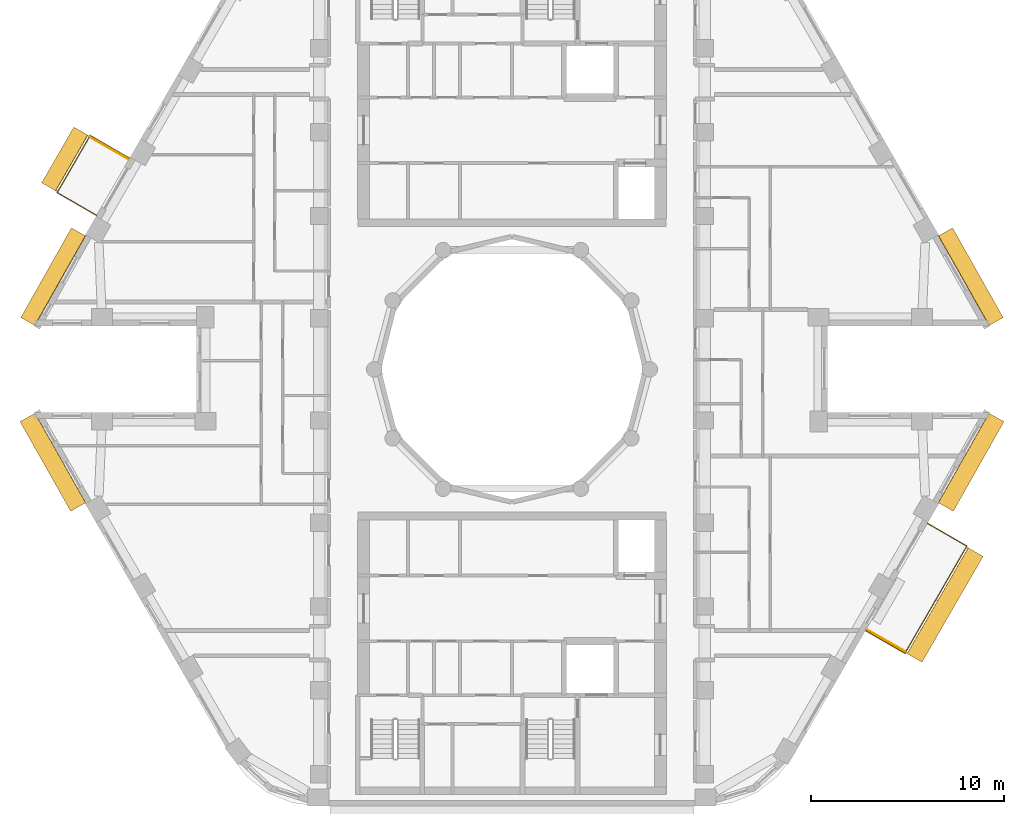
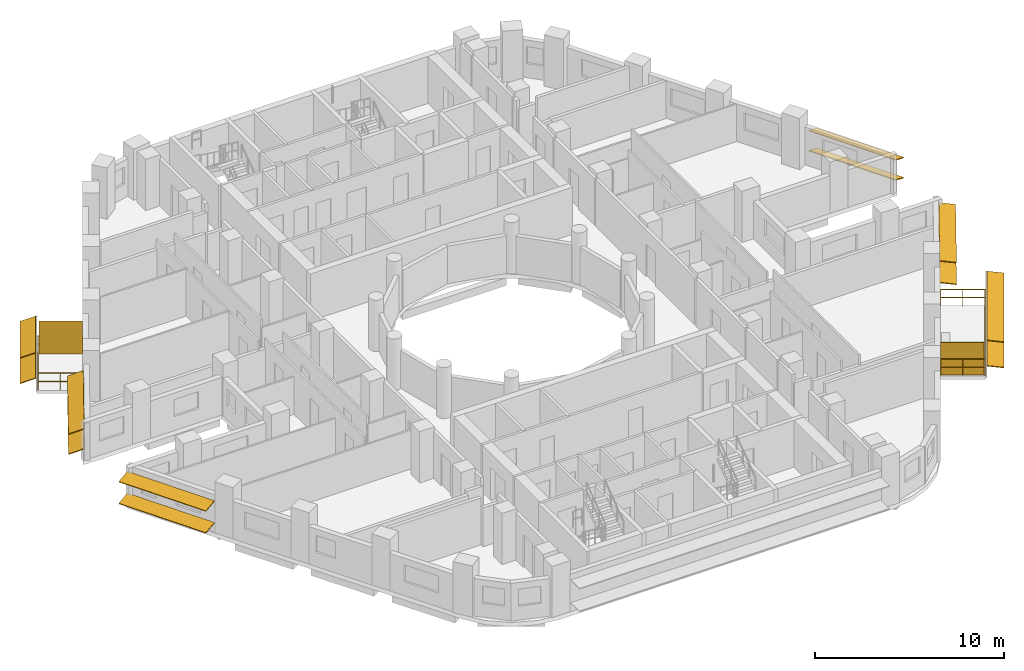
# One storey, part 13 of 14: 14 shading devices, 2 railings.
"""IFC4 building model written with IfcOpenShell, lengths in metres."""

import ifcopenshell
import ifcopenshell.guid

model = None  # the IFC model being written
_history = None  # IfcOwnerHistory: only IFC2X3 demands one
_inside = {}  # id of a spatial element -> (the spatial element, [elements in it])
_under = {}  # id of a project, library or spatial element -> (it, [spatial elements below it])
_declared = {}  # id of a project -> (the project, [libraries it declares])
_typed = {}  # id of a type object -> (the type object, [elements of that type])
_made_of = {}  # id of a material, layer set ... -> (it, [elements and type objects made of it])


def new_model(schema):
    """Start an empty IFC model of exactly this schema.

    Asked for "IFC4X3", IfcOpenShell would pick the latest addendum, in which some entities
    have other attributes; the version numbers below select the first issue.
    IFC2X3 requires an IfcOwnerHistory on every rooted entity: one is made here for all.
    """
    global model, _history
    if schema == "IFC4X3":
        model = ifcopenshell.file(schema_version=(4, 3, 0, 0))
    else:
        model = ifcopenshell.file(schema=schema)
    _inside.clear()
    _under.clear()
    _declared.clear()
    _typed.clear()
    _made_of.clear()
    _history = None
    if model.schema == "IFC2X3":
        org = make("IfcOrganization", Name="unknown")
        user = make(
            "IfcPersonAndOrganization",
            ThePerson=make("IfcPerson", FamilyName="unknown"),
            TheOrganization=org,
        )
        app = make(
            "IfcApplication",
            ApplicationDeveloper=org,
            Version="unknown",
            ApplicationFullName="unknown",
            ApplicationIdentifier="unknown",
        )
        _history = make(
            "IfcOwnerHistory",
            OwningUser=user,
            OwningApplication=app,
            ChangeAction="ADDED",
            CreationDate=0,
        )
    return model


def make(cls, **values):
    """One entity of the class cls with the attributes given. An attribute that is None is left unset."""
    return model.create_entity(
        cls, **{name: value for name, value in values.items() if value is not None}
    )


def rooted(cls, **values):
    """An entity with a GlobalId (a new one), such as an element, a storey or a relation."""
    return make(cls, GlobalId=ifcopenshell.guid.new(), OwnerHistory=_history, **values)


def si_unit(unit_type, name, prefix=None):
    """IfcSIUnit, for example si_unit("LENGTHUNIT", "METRE", prefix="MILLI")."""
    return make("IfcSIUnit", UnitType=unit_type, Prefix=prefix, Name=name)


def assignment(units):
    """IfcUnitAssignment: the units of a project."""
    return None if units is None else make("IfcUnitAssignment", Units=units)


def point(xyz):
    """IfcCartesianPoint."""
    return None if xyz is None else make("IfcCartesianPoint", Coordinates=xyz)


def direction(xyz):
    """IfcDirection."""
    return None if xyz is None else make("IfcDirection", DirectionRatios=xyz)


def frame(location, z_axis=None, x_axis=None):
    """IfcAxis2Placement3D, a coordinate frame: its origin and axes. An axis left out is left unset."""
    return make(
        "IfcAxis2Placement3D",
        Location=point(location),
        Axis=direction(z_axis),
        RefDirection=direction(x_axis),
    )


def frame_2d(location, x_axis=None):
    """IfcAxis2Placement2D, a coordinate frame in the plane: its origin and x axis."""
    return make(
        "IfcAxis2Placement2D", Location=point(location), RefDirection=direction(x_axis)
    )


def origin():
    """The frame at (0, 0, 0) with its axes left unset."""
    return frame((0.0, 0.0, 0.0))


def origin_2d():
    """The frame at (0, 0) in the plane with its x axis left unset."""
    return frame_2d((0.0, 0.0))


def place(relative_to, where):
    """IfcLocalPlacement: puts the frame where relative to a parent placement (None: the world)."""
    return make(
        "IfcLocalPlacement", PlacementRelTo=relative_to, RelativePlacement=where
    )


def context(
    kind, dimensions, precision=None, world=None, true_north=None, identifier=None
):
    """IfcGeometricRepresentationContext, for example the 3D "Model" context."""
    return make(
        "IfcGeometricRepresentationContext",
        ContextIdentifier=identifier,
        ContextType=kind,
        CoordinateSpaceDimension=dimensions,
        Precision=precision,
        WorldCoordinateSystem=world,
        TrueNorth=true_north,
    )


def subcontext(parent, identifier, kind, view, scale=None):
    """IfcGeometricRepresentationSubContext, for example "Body" below "Model"."""
    return make(
        "IfcGeometricRepresentationSubContext",
        ContextIdentifier=identifier,
        ContextType=kind,
        ParentContext=parent,
        TargetScale=scale,
        TargetView=view,
    )


def project(units=None, contexts=None):
    """IfcProject with its units and contexts."""
    return rooted(
        "IfcProject",
        Name="project",
        RepresentationContexts=contexts,
        UnitsInContext=assignment(units),
    )


def spatial(cls, under=None, at=None, **own):
    """A site, building, storey or space (cls), placed at a placement, below another one or the project."""
    s = rooted(cls, ObjectPlacement=at, **own)
    if under is not None:
        _under.setdefault(under.id(), (under, []))[1].append(s)
    return s


def profile(cls, at=None, kind="AREA", **sizes):
    """A parametric profile (cls). Its sizes go by their IFC names, for example OverallWidth=200.0."""
    return make(cls, ProfileType=kind, Position=at, **sizes)


def rectangle(**sizes):
    """IfcRectangleProfileDef."""
    return profile("IfcRectangleProfileDef", **sizes)


def circle(**sizes):
    """IfcCircleProfileDef."""
    return profile("IfcCircleProfileDef", **sizes)


def extrude(swept, where, along, depth):
    """IfcExtrudedAreaSolid: the profile swept, set in the frame where, extruded along a direction by depth."""
    return make(
        "IfcExtrudedAreaSolid",
        SweptArea=swept,
        Position=where,
        ExtrudedDirection=direction(along),
        Depth=depth,
    )


def shape(context_of_items, identifier, shape_type, items):
    """IfcShapeRepresentation: the items that make up one representation, for example the "Body"."""
    return make(
        "IfcShapeRepresentation",
        ContextOfItems=context_of_items,
        RepresentationIdentifier=identifier,
        RepresentationType=shape_type,
        Items=items,
    )


def material(Name=None, Category=None):
    """IfcMaterial."""
    return make("IfcMaterial", Name=Name, Category=Category)


def layer(
    of_material, thickness, ventilated=None, Name=None, Category=None, Priority=None
):
    """IfcMaterialLayer: one layer of a wall or slab, of a material (None: an air gap)."""
    return make(
        "IfcMaterialLayer",
        Material=of_material,
        LayerThickness=thickness,
        IsVentilated=ventilated,
        Name=Name,
        Category=Category,
        Priority=Priority,
    )


def layer_set(layers, Name=None):
    """IfcMaterialLayerSet."""
    return make("IfcMaterialLayerSet", MaterialLayers=layers, LayerSetName=Name)


def material_profile(
    of_material, cross_section, Name=None, Category=None, Priority=None
):
    """IfcMaterialProfile: a cross section and its material."""
    return make(
        "IfcMaterialProfile",
        Name=Name,
        Material=of_material,
        Profile=cross_section,
        Priority=Priority,
        Category=Category,
    )


def profile_set(profiles, Name=None, composite=None):
    """IfcMaterialProfileSet."""
    return make(
        "IfcMaterialProfileSet",
        Name=Name,
        MaterialProfiles=profiles,
        CompositeProfile=composite,
    )


def made_of(thing, what):
    """Note that an element or type object is made of a material, layer set ...; save() writes the relation."""
    if what is not None:
        _made_of.setdefault(what.id(), (what, []))[1].append(thing)
    return thing


def type_object(cls, material=None, **own):
    """A type object (cls), such as IfcWallType, which elements share."""
    return made_of(rooted(cls, **own), material)


def element(
    cls,
    number,
    at=None,
    inside=None,
    cuts=None,
    type_object=None,
    material=None,
    context=None,
    identifier="Body",
    shape_type=None,
    held_by="IfcProductDefinitionShape",
    body=None,
    shapes=None,
    **own,
):
    """One element of the class cls, such as IfcWall. Its Tag is "e" and its number.

    at: its placement. inside: the storey or other place that contains it. cuts: it is an
    opening in that element (IfcRelVoidsElement). A single representation is given by context,
    identifier, shape_type and body (its items); several are given by shapes. held_by: the class
    of the entity that holds the representations. save() writes the other relations.
    """
    e = rooted(cls, Tag="e%d" % number, ObjectPlacement=at, **own)
    if body is not None:
        shapes = [shape(context, identifier, shape_type, body)]
    if shapes is not None:
        e.Representation = make(held_by, Representations=shapes)
    if inside is not None:
        _inside.setdefault(inside.id(), (inside, []))[1].append(e)
    if cuts is not None:
        rooted(
            "IfcRelVoidsElement", RelatingBuildingElement=cuts, RelatedOpeningElement=e
        )
    if type_object is not None:
        _typed.setdefault(type_object.id(), (type_object, []))[1].append(e)
    return made_of(e, material)


def aggregate(whole, parts):
    """IfcRelAggregates: a whole, such as a stair, and the parts it consists of."""
    return rooted("IfcRelAggregates", RelatingObject=whole, RelatedObjects=parts)


def save(model, path):
    """Write the relations noted so far, then the file.

    IfcRelAggregates (storeys below a building ...), IfcRelContainedInSpatialStructure (elements
    in a storey), IfcRelDefinesByType, IfcRelAssociatesMaterial and IfcRelDeclares: one each for
    every whole, place, type object, material and project.
    """
    for whole, parts in _under.values():
        aggregate(whole, parts)
    for where, things in _inside.values():
        rooted(
            "IfcRelContainedInSpatialStructure",
            RelatedElements=things,
            RelatingStructure=where,
        )
    for kind, things in _typed.values():
        rooted("IfcRelDefinesByType", RelatedObjects=things, RelatingType=kind)
    for what, things in _made_of.values():
        rooted("IfcRelAssociatesMaterial", RelatedObjects=things, RelatingMaterial=what)
    for by, libraries in _declared.values():
        rooted("IfcRelDeclares", RelatingContext=by, RelatedDefinitions=libraries)
    model.write(path)


model = new_model("IFC4")

# Units and contexts
model_context = context("Model", 3, precision=1e-05, world=origin(), true_north=direction((0.0, 1.0)))
body_context = subcontext(model_context, "Body", "Model", "MODEL_VIEW")
ifc_project = project(units=[si_unit("LENGTHUNIT", "METRE"), si_unit("AREAUNIT", "SQUARE_METRE"), si_unit("VOLUMEUNIT", "CUBIC_METRE"), si_unit("PLANEANGLEUNIT", "RADIAN"), si_unit("MASSUNIT", "GRAM", prefix="KILO")], contexts=[model_context])

# Site, building, storey
site_placement = place(None, origin())
site = spatial("IfcSite", under=ifc_project, at=site_placement, CompositionType="ELEMENT")
building_placement = place(site_placement, origin())
building = spatial("IfcBuilding", under=site, at=building_placement, Name="Nakaniwa Court", CompositionType="ELEMENT")
storey_placement = place(building_placement, frame((0.0, 0.0, 262.5)))
storey = spatial("IfcBuildingStorey", under=building, at=storey_placement, Name="L69", CompositionType="ELEMENT", Elevation=262.5)

# Railings
ifc_material_1 = material(Name="Black powder-coated steel flat bar balustrade S275", Category="steel")
railing_type = type_object("IfcRailingType", Name="Black metal balcony guard 1100", PredefinedType="GUARDRAIL", material=ifc_material_1)
railing_1_placement = place(storey_placement, frame((60.166015625, 90.946533203125, -0.050048828125)))
element("IfcRailing", 1, at=railing_1_placement, inside=storey, type_object=railing_type, Name="L69 balcony guard 01", PredefinedType="GUARDRAIL", context=body_context, shape_type="SweptSolid", body=[
    extrude(circle(Radius=0.02392578125, at=origin_2d()), frame((0.0, 0.0, 1.076171875), z_axis=(-0.866051224006, 0.499955275397, 0.0), x_axis=(-0.499955275397, -0.866051224006, 0.0)), (0.0, 0.0, 1.0), 2.360107421875),
    extrude(circle(Radius=0.02392578125, at=origin_2d()), frame((0.0, 0.0, 0.550048828125), z_axis=(-0.866051224006, 0.499955275397, 0.0), x_axis=(-0.499955275397, -0.866051224006, 0.0)), (0.0, 0.0, 1.0), 2.360107421875),
    extrude(circle(Radius=0.02392578125, at=origin_2d()), frame((-2.0439453125, 1.179931640625, 1.076171875), z_axis=(-0.499963508271, -0.866046471269, 0.0), x_axis=(0.866046471269, -0.499963508271, 0.0)), (0.0, 0.0, 1.0), 3.419189453125),
    extrude(circle(Radius=0.02392578125, at=origin_2d()), frame((-2.0439453125, 1.179931640625, 0.550048828125), z_axis=(-0.499963508271, -0.866046471269, 0.0), x_axis=(0.866046471269, -0.499963508271, 0.0)), (0.0, 0.0, 1.0), 3.419189453125),
    extrude(circle(Radius=0.02392578125, at=origin_2d()), frame((-3.75341796875, -1.78125, 1.076171875), z_axis=(0.866025363618, -0.50000006957, 0.0), x_axis=(0.50000006957, 0.866025363618, 0.0)), (0.0, 0.0, 1.0), 2.35986328125),
    extrude(circle(Radius=0.02392578125, at=origin_2d()), frame((-3.75341796875, -1.78125, 0.550048828125), z_axis=(0.866025363618, -0.50000006957, 0.0), x_axis=(0.50000006957, 0.866025363618, 0.0)), (0.0, 0.0, 1.0), 2.35986328125),
    extrude(circle(Radius=0.02099609375, at=origin_2d()), origin(), (0.0, 0.0, 1.0), 1.052001953125),
    extrude(circle(Radius=0.02099609375, at=origin_2d()), frame((-1.02197265625, 0.58984375, 0.0)), (0.0, 0.0, 1.0), 1.052001953125),
    extrude(circle(Radius=0.02099609375, at=origin_2d()), frame((-2.0439453125, 1.179931640625, 0.0)), (0.0, 0.0, 1.0), 1.052001953125),
    extrude(circle(Radius=0.02099609375, at=origin_2d()), frame((-2.61376953125, 0.19287109375, 0.0)), (0.0, 0.0, 1.0), 1.052001953125),
    extrude(circle(Radius=0.02099609375, at=origin_2d()), frame((-3.18359375, -0.794189453125, 0.0)), (0.0, 0.0, 1.0), 1.052001953125),
    extrude(circle(Radius=0.02099609375, at=origin_2d()), frame((-3.75341796875, -1.78125, 0.0)), (0.0, 0.0, 1.0), 1.052001953125),
    extrude(circle(Radius=0.02099609375, at=origin_2d()), frame((-2.7314453125, -2.37109375, 0.0)), (0.0, 0.0, 1.0), 1.052001953125),
    extrude(circle(Radius=0.02099609375, at=origin_2d()), frame((-1.709716796875, -2.961181640625, 0.0)), (0.0, 0.0, 1.0), 1.052001953125),
])
railing_2_placement = place(storey_placement, frame((98.333984375, 66.455322265625, -0.050048828125)))
element("IfcRailing", 2, at=railing_2_placement, inside=storey, type_object=railing_type, Name="L69 balcony guard 02", PredefinedType="GUARDRAIL", context=body_context, shape_type="SweptSolid", body=[
    extrude(circle(Radius=0.02392578125, at=origin_2d()), frame((0.0, 0.0, 1.076171875), z_axis=(0.866051224006, -0.499955275397, 0.0), x_axis=(0.499955275397, 0.866051224006, 0.0)), (0.0, 0.0, 1.0), 2.360107421875),
    extrude(circle(Radius=0.02392578125, at=origin_2d()), frame((0.0, 0.0, 0.550048828125), z_axis=(0.866051224006, -0.499955275397, 0.0), x_axis=(0.499955275397, 0.866051224006, 0.0)), (0.0, 0.0, 1.0), 2.360107421875),
    extrude(circle(Radius=0.02392578125, at=origin_2d()), frame((2.0439453125, -1.179931640625, 1.076171875), z_axis=(0.499975954304, 0.866039286129, 0.0), x_axis=(-0.866039286129, 0.499975954304, 0.0)), (0.0, 0.0, 1.0), 6.419189453125),
    extrude(circle(Radius=0.02392578125, at=origin_2d()), frame((2.0439453125, -1.179931640625, 0.550048828125), z_axis=(0.499975954304, 0.866039286129, 0.0), x_axis=(-0.866039286129, 0.499975954304, 0.0)), (0.0, 0.0, 1.0), 6.419189453125),
    extrude(circle(Radius=0.02392578125, at=origin_2d()), frame((5.25341796875, 4.37939453125, 1.076171875), z_axis=(-0.866025363618, 0.50000006957, 0.0), x_axis=(-0.50000006957, -0.866025363618, 0.0)), (0.0, 0.0, 1.0), 2.35986328125),
    extrude(circle(Radius=0.02392578125, at=origin_2d()), frame((5.25341796875, 4.37939453125, 0.550048828125), z_axis=(-0.866025363618, 0.50000006957, 0.0), x_axis=(-0.50000006957, -0.866025363618, 0.0)), (0.0, 0.0, 1.0), 2.35986328125),
    extrude(circle(Radius=0.02099609375, at=origin_2d()), origin(), (0.0, 0.0, 1.0), 1.052001953125),
    extrude(circle(Radius=0.02099609375, at=origin_2d()), frame((1.02197265625, -0.58984375, 0.0)), (0.0, 0.0, 1.0), 1.052001953125),
    extrude(circle(Radius=0.02099609375, at=origin_2d()), frame((2.0439453125, -1.179931640625, 0.0)), (0.0, 0.0, 1.0), 1.052001953125),
    extrude(circle(Radius=0.02099609375, at=origin_2d()), frame((2.578857421875, -0.25341796875, 0.0)), (0.0, 0.0, 1.0), 1.052001953125),
    extrude(circle(Radius=0.02099609375, at=origin_2d()), frame((3.11376953125, 0.673095703125, 0.0)), (0.0, 0.0, 1.0), 1.052001953125),
    extrude(circle(Radius=0.02099609375, at=origin_2d()), frame((3.648681640625, 1.599609375, 0.0)), (0.0, 0.0, 1.0), 1.052001953125),
    extrude(circle(Radius=0.02099609375, at=origin_2d()), frame((4.18359375, 2.5263671875, 0.0)), (0.0, 0.0, 1.0), 1.052001953125),
    extrude(circle(Radius=0.02099609375, at=origin_2d()), frame((4.718505859375, 3.452880859375, 0.0)), (0.0, 0.0, 1.0), 1.052001953125),
    extrude(circle(Radius=0.02099609375, at=origin_2d()), frame((5.25341796875, 4.37939453125, 0.0)), (0.0, 0.0, 1.0), 1.052001953125),
    extrude(circle(Radius=0.02099609375, at=origin_2d()), frame((4.2314453125, 4.96923828125, 0.0)), (0.0, 0.0, 1.0), 1.052001953125),
    extrude(circle(Radius=0.02099609375, at=origin_2d()), frame((3.209716796875, 5.559326171875, 0.0)), (0.0, 0.0, 1.0), 1.052001953125),
])

# Shading devices
ifc_material_2 = material(Name="Black powder-coated aluminium slat screen", Category="aluminium")
ifc_layer = layer(ifc_material_2, 0.0400390625)
ifc_layer_set = layer_set([ifc_layer], Name="Black powder-coated aluminium slat screen")
shading_device_type_1 = type_object("IfcShadingDeviceType", Name="Koshi screen black metal", PredefinedType="USERDEFINED", material=ifc_layer_set)
for number, where, z_axis, x_axis, name in (
    (3, (59.125732421875, 91.45458984375, -0.050048828125), (0.0, 0.0, 1.0), (-0.499986396443, -0.866033257659, 0.0), "L69 balcony SCREEN 01 W"),
    (4, (99.37451171875, 65.947265625, -0.050048828125), (0.0, 0.0, 1.0), (0.499986396443, 0.866033257659, 0.0), "L69 balcony SCREEN 02 W"),
):
    element("IfcShadingDevice", number, at=place(storey_placement, frame(where, z_axis=z_axis, x_axis=x_axis)), inside=storey, type_object=shading_device_type_1, Name=name, ObjectType="KOSHI SCREEN", PredefinedType="USERDEFINED", context=body_context, shape_type="SweptSolid", body=[
        extrude(rectangle(XDim=0.0400390625, YDim=2.31005859375, at=origin_2d()), origin(), (0.0, 0.0, 1.0), 2.10009765625),
    ])
ifc_material_3 = material(Name="Perforated charcoal ceramic louvre blade")
ifc_material_profile = material_profile(ifc_material_3, rectangle(XDim=0.89990234375, YDim=0.050048828125, at=origin_2d()), Name="Perforated ceramic louvre blade")
ifc_profile_set = profile_set([ifc_material_profile], Name="Perforated charcoal ceramic louvre blade")
shading_device_type_2 = type_object("IfcShadingDeviceType", Name="Perforated ceramic louvre blade", PredefinedType="JALOUSIE", material=ifc_profile_set)
for number, where, z_axis, x_axis, name in (
    (5, (57.647216796875, 92.3544921875, 0.5), (-0.499960849739, -0.866048006018, 0.0), (0.800124026933, -0.46190359613, 0.382683432365), "L69 perforated ceramic louvre blade 01 1"),
    (6, (57.647216796875, 92.3544921875, 2.14990234375), (-0.499960849739, -0.866048006018, 0.0), (0.800124026933, -0.46190359613, 0.382683432365), "L69 perforated ceramic louvre blade 01 2"),
):
    element("IfcShadingDevice", number, at=place(storey_placement, frame(where, z_axis=z_axis, x_axis=x_axis)), inside=storey, type_object=shading_device_type_2, Name=name, PredefinedType="JALOUSIE", context=body_context, shape_type="SweptSolid", body=[
        extrude(rectangle(XDim=0.89990234375, YDim=0.050048828125, at=origin_2d()), origin(), (0.0, 0.0, 1.0), 3.339111328125),
    ])
for number, where, z_axis, x_axis, name in (
    (7, (100.873779296875, 65.035400390625, 0.5), (0.499991387631, 0.866030376081, 0.0), (-0.858621366159, 0.495713891998, 0.13052619222), "L69 perforated ceramic louvre blade 02 1"),
    (8, (100.873779296875, 65.035400390625, 2.14990234375), (0.499991387631, 0.866030376081, 0.0), (-0.858621366159, 0.495713891998, 0.13052619222), "L69 perforated ceramic louvre blade 02 2"),
):
    element("IfcShadingDevice", number, at=place(storey_placement, frame(where, z_axis=z_axis, x_axis=x_axis)), inside=storey, type_object=shading_device_type_2, Name=name, PredefinedType="JALOUSIE", context=body_context, shape_type="SweptSolid", body=[
        extrude(rectangle(XDim=0.89990234375, YDim=0.050048828125, at=origin_2d()), origin(), (0.0, 0.0, 1.0), 6.3388671875),
    ])
for number, where, z_axis, x_axis, name in (
    (9, (105.103759765625, 82.480224609375, 0.550048828125), (-0.492088911474, 0.870544946114, 0.0), (-0.804858877011, -0.454958851288, 0.38107037635), "L69 perforated ceramic louvre blade w02 1"),
    (10, (105.103759765625, 82.480224609375, 1.845458984375), (-0.492088911474, 0.870544946114, 0.0), (-0.804858877011, -0.454958851288, 0.38107037635), "L69 perforated ceramic louvre blade w02 2"),
    (11, (57.5224609375, 87.126220703125, 0.550048828125), (-0.492088911474, -0.870544946114, 0.0), (0.804858877011, -0.454958851288, 0.38107037635), "L69 perforated ceramic louvre blade w14 1"),
    (12, (57.5224609375, 87.126220703125, 1.845458984375), (-0.492088911474, -0.870544946114, 0.0), (0.804858877011, -0.454958851288, 0.38107037635), "L69 perforated ceramic louvre blade w14 2"),
):
    element("IfcShadingDevice", number, at=place(storey_placement, frame(where, z_axis=z_axis, x_axis=x_axis)), inside=storey, type_object=shading_device_type_2, Name=name, PredefinedType="JALOUSIE", context=body_context, shape_type="SweptSolid", body=[
        extrude(rectangle(XDim=0.89990234375, YDim=0.050048828125, at=origin_2d()), origin(), (0.0, 0.0, 1.0), 5.3369140625),
    ])
for number, where, z_axis, x_axis, name in (
    (13, (54.87548828125, 77.508056640625, 0.550048828125), (0.492108509021, -0.870533868008, 0.0), (0.862886698285, 0.487785601632, 0.132256390257), "L69 perforated ceramic louvre blade w20 1"),
    (14, (54.87548828125, 77.508056640625, 1.955810546875), (0.492108509021, -0.870533868008, 0.0), (0.862886698285, 0.487785601632, 0.132256390257), "L69 perforated ceramic louvre blade w20 2"),
    (15, (102.498291015625, 72.8623046875, 0.550048828125), (0.492108509021, 0.870533868008, 0.0), (-0.862886698285, 0.487785601632, 0.132256390257), "L69 perforated ceramic louvre blade w32 1"),
    (16, (102.498291015625, 72.8623046875, 1.955810546875), (0.492108509021, 0.870533868008, 0.0), (-0.862886698285, 0.487785601632, 0.132256390257), "L69 perforated ceramic louvre blade w32 2"),
):
    element("IfcShadingDevice", number, at=place(storey_placement, frame(where, z_axis=z_axis, x_axis=x_axis)), inside=storey, type_object=shading_device_type_2, Name=name, PredefinedType="JALOUSIE", context=body_context, shape_type="SweptSolid", body=[
        extrude(rectangle(XDim=0.89990234375, YDim=0.050048828125, at=origin_2d()), origin(), (0.0, 0.0, 1.0), 5.336669921875),
    ])

save(model, "model.ifc")
